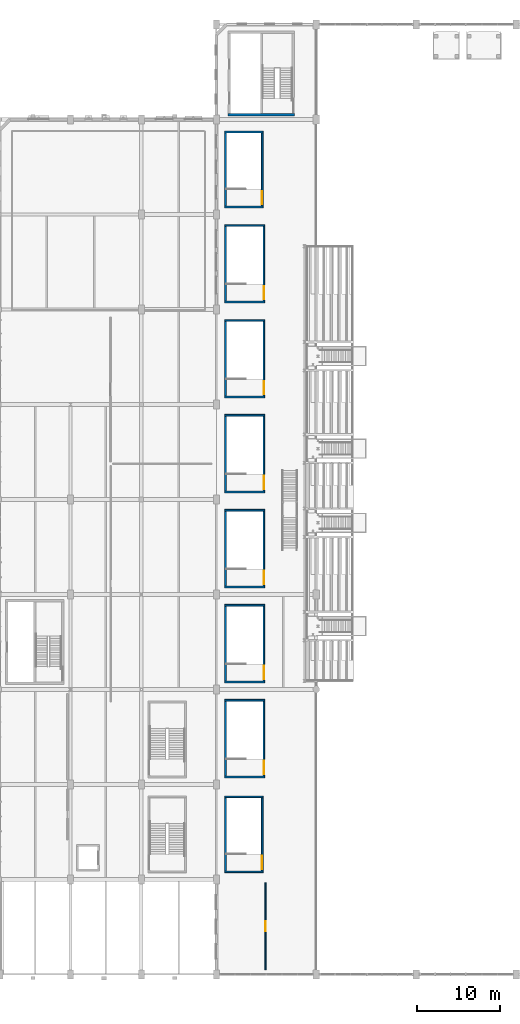
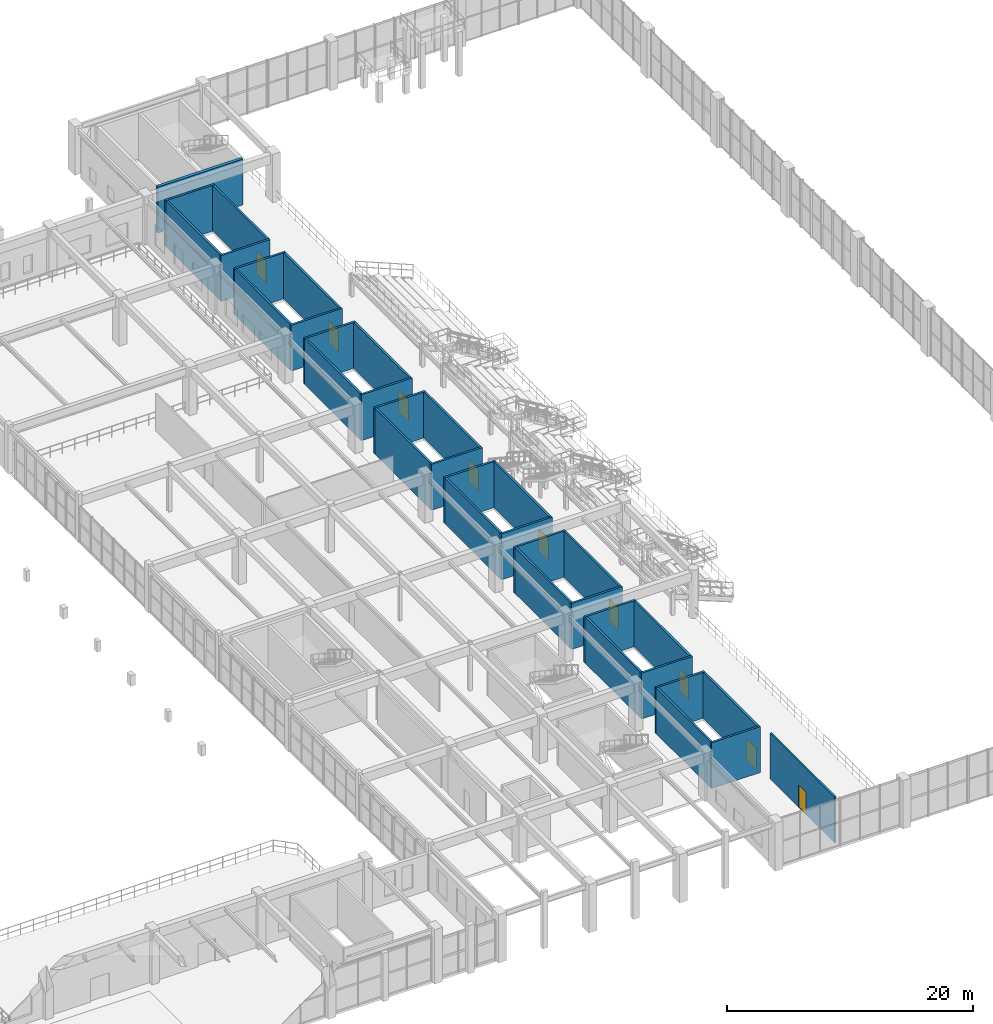
# One storey, part 87 of 106: 34 walls, 9 doors, 9 openings.
"""IFC4 building model written with IfcOpenShell, lengths in metres."""

from ifc_helpers import new_model, si_unit, direction, frame, frame_2d, origin, place, context, subcontext, project, spatial, rectangle, extrude, material, layer, layer_set, type_object, element, fill, save


model = new_model("IFC4")

# Units and contexts
model_context = context("Model", 3, precision=1e-05, world=origin(), true_north=direction((0.0, 1.0)))
body_context = subcontext(model_context, "Body", "Model", "MODEL_VIEW")
ifc_project = project(units=[si_unit("LENGTHUNIT", "METRE"), si_unit("AREAUNIT", "SQUARE_METRE"), si_unit("VOLUMEUNIT", "CUBIC_METRE"), si_unit("PLANEANGLEUNIT", "RADIAN"), si_unit("MASSUNIT", "GRAM", prefix="KILO"), si_unit("POWERUNIT", "WATT"), si_unit("THERMODYNAMICTEMPERATUREUNIT", "KELVIN")], contexts=[model_context])

# Site, building, storey
site_placement = place(None, origin())
site = spatial("IfcSite", under=ifc_project, at=site_placement, CompositionType="ELEMENT")
building_placement = place(site_placement, origin())
building = spatial("IfcBuilding", under=site, at=building_placement, Name="Kelmbourne Parkland Aquatics Centre", CompositionType="ELEMENT")
storey_placement = place(building_placement, frame((0.0, 0.0, 5.39990234375)))
storey = spatial("IfcBuildingStorey", under=building, at=storey_placement, Name="L01", CompositionType="ELEMENT", Elevation=5.39990234375)

# Walls
ifc_material_1 = material(Name="Concrete C40/50", Category="concrete")
ifc_layer_1 = layer(ifc_material_1, 0.300048828125)
ifc_layer_set_1 = layer_set([ifc_layer_1], Name="Concrete C40/50")
wall_type_1 = type_object("IfcWallType", Name="W-CORE-300", PredefinedType="SHEAR", material=ifc_layer_set_1)
wall_1_placement = place(storey_placement, frame((129.39990234375, 103.949951171875, 0.0), z_axis=(0.0, 0.0, 1.0), x_axis=(1.0, 0.0, 0.0)))
element("IfcWall", 1, at=wall_1_placement, inside=storey, type_object=wall_type_1, Name="North Diving Control Fire-Fighting Core south wall (L01)", PredefinedType="SHEAR", context=body_context, shape_type="SweptSolid", body=[
    extrude(rectangle(XDim=8.0, YDim=0.300048828125, at=frame_2d((4.0, 0.0))), origin(), (0.0, 0.0, 1.0), 4.56005859375),
])
ifc_material_2 = material(Name="Concrete blockwork C32/40", Category="masonry")
ifc_layer_2 = layer(ifc_material_2, 0.199951171875)
ifc_layer_set_2 = layer_set([ifc_layer_2], Name="Concrete blockwork C32/40")
wall_type_2 = type_object("IfcWallType", Name="W-FIRE-200", PredefinedType="SOLIDWALL", material=ifc_layer_set_2)
for number, where, z_axis, x_axis, name in (
    (2, (129.0, 13.10009765625, 0.0), (0.0, 0.0, 1.0), (1.0, 0.0, 0.0), "Main Bowl South Concourse Exit Stair south enclosure (L01)"),
    (3, (129.0, 22.10009765625, 0.0), (0.0, 0.0, 1.0), (1.0, 0.0, 0.0), "Main Bowl South Concourse Exit Stair north enclosure (L01)"),
):
    element("IfcWall", number, at=place(storey_placement, frame(where, z_axis=z_axis, x_axis=x_axis)), inside=storey, type_object=wall_type_2, Name=name, PredefinedType="SOLIDWALL", context=body_context, shape_type="SweptSolid", body=[
        extrude(rectangle(XDim=4.60009765625, YDim=0.199951171875, at=frame_2d((2.300048828125, 0.0))), origin(), (0.0, 0.0, 1.0), 4.56005859375),
    ])
wall_2_placement = place(storey_placement, frame((129.10009765625, 13.199951171875, 0.0), z_axis=(0.0, 0.0, 1.0), x_axis=(0.0, 1.0, 0.0)))
element("IfcWall", 4, at=wall_2_placement, inside=storey, type_object=wall_type_2, Name="Main Bowl South Concourse Exit Stair west enclosure (L01)", PredefinedType="SOLIDWALL", context=body_context, shape_type="SweptSolid", body=[
    extrude(rectangle(XDim=8.800048828125, YDim=0.199951171875, at=frame_2d((4.39990234375, 0.0))), origin(), (0.0, 0.0, 1.0), 4.56005859375),
])

# Wall, opening, door
wall_3_placement = place(storey_placement, frame((133.5, 13.199951171875, 0.0), z_axis=(0.0, 0.0, 1.0), x_axis=(0.0, 1.0, 0.0)))
wall_3 = element("IfcWall", 5, at=wall_3_placement, inside=storey, type_object=wall_type_2, Name="Main Bowl South Concourse Exit Stair east enclosure (L01)", PredefinedType="SOLIDWALL", context=body_context, shape_type="SweptSolid", body=[
    extrude(rectangle(XDim=8.800048828125, YDim=0.199951171875, at=frame_2d((4.39990234375, 0.0))), origin(), (0.0, 0.0, 1.0), 4.56005859375),
])
opening_1_placement = place(wall_3_placement, frame((0.219970703125, 0.0, 0.0)))
opening_1 = element("IfcOpeningElement", 6, at=opening_1_placement, cuts=wall_3, Name="Opening FD02", PredefinedType="OPENING", context=body_context, shape_type="SweptSolid", body=[
    extrude(rectangle(XDim=1.60009765625, YDim=2.199951171875, at=frame_2d((0.800048828125, 1.10009765625))), frame((0.0, 0.11181640625, 0.0), z_axis=(0.0, -1.0, 0.0), x_axis=(1.0, 0.0, 0.0)), (0.0, 0.0, 1.0), 0.223876953125),
])
ifc_material_3 = material(Name="Marine-grade stainless steel and fire-rated hardwood doorset", Category="steel")
ifc_layer_3 = layer(ifc_material_3, 0.050048828125)
ifc_layer_set_3 = layer_set([ifc_layer_3], Name="Marine-grade stainless steel and fire-rated hardwood doorset")
door_type_1 = type_object("IfcDoorType", Name="DR-FD-160", OperationType="NOTDEFINED", PredefinedType="DOOR", material=ifc_layer_set_3)
door_1_placement = place(opening_1_placement, frame((1.60009765625, 0.0, 0.0), z_axis=(0.0, 0.0, 1.0), x_axis=(-1.0, 0.0, 0.0)))
door_1 = element("IfcDoor", 7, at=door_1_placement, inside=storey, type_object=door_type_1, Name="Exit stair fire door ST10 (L01)", OperationType="DOUBLE_DOOR_SINGLE_SWING", OverallHeight=2.199951171875, OverallWidth=1.60009765625, PredefinedType="DOOR", context=body_context, shape_type="SweptSolid", body=[
    extrude(rectangle(XDim=1.60009765625, YDim=2.199951171875, at=frame_2d((0.800048828125, 1.10009765625))), frame((0.0, 0.02490234375, 0.0), z_axis=(0.0, -1.0, 0.0), x_axis=(1.0, 0.0, 0.0)), (0.0, 0.0, 1.0), 0.050048828125),
])
fill(opening_1, door_1)

# Walls
for number, where, z_axis, x_axis, name in (
    (8, (129.0, 92.89990234375, 0.0), (0.0, 0.0, 1.0), (1.0, 0.0, 0.0), "Main Bowl North Concourse Exit Stair south enclosure (L01)"),
    (9, (129.0, 101.89990234375, 0.0), (0.0, 0.0, 1.0), (1.0, 0.0, 0.0), "Main Bowl North Concourse Exit Stair north enclosure (L01)"),
):
    element("IfcWall", number, at=place(storey_placement, frame(where, z_axis=z_axis, x_axis=x_axis)), inside=storey, type_object=wall_type_2, Name=name, PredefinedType="SOLIDWALL", context=body_context, shape_type="SweptSolid", body=[
        extrude(rectangle(XDim=4.60009765625, YDim=0.199951171875, at=frame_2d((2.300048828125, 0.0))), origin(), (0.0, 0.0, 1.0), 4.56005859375),
    ])
wall_4_placement = place(storey_placement, frame((129.10009765625, 93.0, 0.0), z_axis=(0.0, 0.0, 1.0), x_axis=(0.0, 1.0, 0.0)))
element("IfcWall", 10, at=wall_4_placement, inside=storey, type_object=wall_type_2, Name="Main Bowl North Concourse Exit Stair west enclosure (L01)", PredefinedType="SOLIDWALL", context=body_context, shape_type="SweptSolid", body=[
    extrude(rectangle(XDim=8.800048828125, YDim=0.199951171875, at=frame_2d((4.39990234375, 0.0))), origin(), (0.0, 0.0, 1.0), 4.56005859375),
])

# Wall, opening, door
wall_5_placement = place(storey_placement, frame((133.5, 93.0, 0.0), z_axis=(0.0, 0.0, 1.0), x_axis=(0.0, 1.0, 0.0)))
wall_5 = element("IfcWall", 11, at=wall_5_placement, inside=storey, type_object=wall_type_2, Name="Main Bowl North Concourse Exit Stair east enclosure (L01)", PredefinedType="SOLIDWALL", context=body_context, shape_type="SweptSolid", body=[
    extrude(rectangle(XDim=8.800048828125, YDim=0.199951171875, at=frame_2d((4.39990234375, 0.0))), origin(), (0.0, 0.0, 1.0), 4.56005859375),
])
opening_2_placement = place(wall_5_placement, frame((0.219970703125, 0.0, 0.0)))
opening_2 = element("IfcOpeningElement", 12, at=opening_2_placement, cuts=wall_5, Name="Opening FD02", PredefinedType="OPENING", context=body_context, shape_type="SweptSolid", body=[
    extrude(rectangle(XDim=1.60009765625, YDim=2.199951171875, at=frame_2d((0.800048828125, 1.10009765625))), frame((0.0, 0.11181640625, 0.0), z_axis=(0.0, -1.0, 0.0), x_axis=(1.0, 0.0, 0.0)), (0.0, 0.0, 1.0), 0.223876953125),
])
door_2_placement = place(opening_2_placement, frame((1.60009765625, 0.0, 0.0), z_axis=(0.0, 0.0, 1.0), x_axis=(-1.0, 0.0, 0.0)))
door_2 = element("IfcDoor", 13, at=door_2_placement, inside=storey, type_object=door_type_1, Name="Exit stair fire door ST11 (L01)", OperationType="DOUBLE_DOOR_SINGLE_SWING", OverallHeight=2.199951171875, OverallWidth=1.60009765625, PredefinedType="DOOR", context=body_context, shape_type="SweptSolid", body=[
    extrude(rectangle(XDim=1.60009765625, YDim=2.199951171875, at=frame_2d((0.800048828125, 1.10009765625))), frame((0.0, 0.02490234375, 0.0), z_axis=(0.0, -1.0, 0.0), x_axis=(1.0, 0.0, 0.0)), (0.0, 0.0, 1.0), 0.050048828125),
])
fill(opening_2, door_2)

# Walls
for number, where, z_axis, x_axis, name in (
    (14, (129.0, 24.5, 0.0), (0.0, 0.0, 1.0), (1.0, 0.0, 0.0), "Spectator Bowl Exit Stair Bay 3 south enclosure (L01)"),
    (15, (129.0, 33.699951171875, 0.0), (0.0, 0.0, 1.0), (1.0, 0.0, 0.0), "Spectator Bowl Exit Stair Bay 3 north enclosure (L01)"),
):
    element("IfcWall", number, at=place(storey_placement, frame(where, z_axis=z_axis, x_axis=x_axis)), inside=storey, type_object=wall_type_2, Name=name, PredefinedType="SOLIDWALL", context=body_context, shape_type="SweptSolid", body=[
        extrude(rectangle(XDim=4.800048828125, YDim=0.199951171875, at=frame_2d((2.39990234375, 0.0))), origin(), (0.0, 0.0, 1.0), 4.56005859375),
    ])
wall_6_placement = place(storey_placement, frame((129.10009765625, 24.60009765625, 0.0), z_axis=(0.0, 0.0, 1.0), x_axis=(0.0, 1.0, 0.0)))
element("IfcWall", 16, at=wall_6_placement, inside=storey, type_object=wall_type_2, Name="Spectator Bowl Exit Stair Bay 3 west enclosure (L01)", PredefinedType="SOLIDWALL", context=body_context, shape_type="SweptSolid", body=[
    extrude(rectangle(XDim=9.0, YDim=0.199951171875, at=frame_2d((4.5, 0.0))), origin(), (0.0, 0.0, 1.0), 4.56005859375),
])

# Wall, opening, door
wall_7_placement = place(storey_placement, frame((133.699951171875, 24.60009765625, 0.0), z_axis=(0.0, 0.0, 1.0), x_axis=(0.0, 1.0, 0.0)))
wall_7 = element("IfcWall", 17, at=wall_7_placement, inside=storey, type_object=wall_type_2, Name="Spectator Bowl Exit Stair Bay 3 east enclosure (L01)", PredefinedType="SOLIDWALL", context=body_context, shape_type="SweptSolid", body=[
    extrude(rectangle(XDim=9.0, YDim=0.199951171875, at=frame_2d((4.5, 0.0))), origin(), (0.0, 0.0, 1.0), 4.56005859375),
])
opening_3_placement = place(wall_7_placement, frame((0.219970703125, 0.0, 0.0)))
opening_3 = element("IfcOpeningElement", 18, at=opening_3_placement, cuts=wall_7, Name="Opening FD02", PredefinedType="OPENING", context=body_context, shape_type="SweptSolid", body=[
    extrude(rectangle(XDim=1.60009765625, YDim=2.199951171875, at=frame_2d((0.800048828125, 1.10009765625))), frame((0.0, 0.11181640625, 0.0), z_axis=(0.0, -1.0, 0.0), x_axis=(1.0, 0.0, 0.0)), (0.0, 0.0, 1.0), 0.223876953125),
])
door_3_placement = place(opening_3_placement, frame((1.60009765625, 0.0, 0.0), z_axis=(0.0, 0.0, 1.0), x_axis=(-1.0, 0.0, 0.0)))
door_3 = element("IfcDoor", 19, at=door_3_placement, inside=storey, type_object=door_type_1, Name="Exit stair fire door ST16 (L01)", OperationType="DOUBLE_DOOR_SINGLE_SWING", OverallHeight=2.199951171875, OverallWidth=1.60009765625, PredefinedType="DOOR", context=body_context, shape_type="SweptSolid", body=[
    extrude(rectangle(XDim=1.60009765625, YDim=2.199951171875, at=frame_2d((0.800048828125, 1.10009765625))), frame((0.0, 0.02490234375, 0.0), z_axis=(0.0, -1.0, 0.0), x_axis=(1.0, 0.0, 0.0)), (0.0, 0.0, 1.0), 0.050048828125),
])
fill(opening_3, door_3)

# Walls
for number, where, z_axis, x_axis, name in (
    (20, (129.0, 35.89990234375, 0.0), (0.0, 0.0, 1.0), (1.0, 0.0, 0.0), "Spectator Bowl Exit Stair Bay 4 south enclosure (L01)"),
    (21, (129.0, 45.10009765625, 0.0), (0.0, 0.0, 1.0), (1.0, 0.0, 0.0), "Spectator Bowl Exit Stair Bay 4 north enclosure (L01)"),
):
    element("IfcWall", number, at=place(storey_placement, frame(where, z_axis=z_axis, x_axis=x_axis)), inside=storey, type_object=wall_type_2, Name=name, PredefinedType="SOLIDWALL", context=body_context, shape_type="SweptSolid", body=[
        extrude(rectangle(XDim=4.800048828125, YDim=0.199951171875, at=frame_2d((2.39990234375, 0.0))), origin(), (0.0, 0.0, 1.0), 4.56005859375),
    ])
wall_8_placement = place(storey_placement, frame((129.10009765625, 36.0, 0.0), z_axis=(0.0, 0.0, 1.0), x_axis=(0.0, 1.0, 0.0)))
element("IfcWall", 22, at=wall_8_placement, inside=storey, type_object=wall_type_2, Name="Spectator Bowl Exit Stair Bay 4 west enclosure (L01)", PredefinedType="SOLIDWALL", context=body_context, shape_type="SweptSolid", body=[
    extrude(rectangle(XDim=9.0, YDim=0.199951171875, at=frame_2d((4.5, 0.0))), origin(), (0.0, 0.0, 1.0), 4.56005859375),
])

# Wall, opening, door
wall_9_placement = place(storey_placement, frame((133.699951171875, 36.0, 0.0), z_axis=(0.0, 0.0, 1.0), x_axis=(0.0, 1.0, 0.0)))
wall_9 = element("IfcWall", 23, at=wall_9_placement, inside=storey, type_object=wall_type_2, Name="Spectator Bowl Exit Stair Bay 4 east enclosure (L01)", PredefinedType="SOLIDWALL", context=body_context, shape_type="SweptSolid", body=[
    extrude(rectangle(XDim=9.0, YDim=0.199951171875, at=frame_2d((4.5, 0.0))), origin(), (0.0, 0.0, 1.0), 4.56005859375),
])
opening_4_placement = place(wall_9_placement, frame((0.219970703125, 0.0, 0.0)))
opening_4 = element("IfcOpeningElement", 24, at=opening_4_placement, cuts=wall_9, Name="Opening FD02", PredefinedType="OPENING", context=body_context, shape_type="SweptSolid", body=[
    extrude(rectangle(XDim=1.60009765625, YDim=2.199951171875, at=frame_2d((0.800048828125, 1.10009765625))), frame((0.0, 0.11181640625, 0.0), z_axis=(0.0, -1.0, 0.0), x_axis=(1.0, 0.0, 0.0)), (0.0, 0.0, 1.0), 0.223876953125),
])
door_4_placement = place(opening_4_placement, frame((1.60009765625, 0.0, 0.0), z_axis=(0.0, 0.0, 1.0), x_axis=(-1.0, 0.0, 0.0)))
door_4 = element("IfcDoor", 25, at=door_4_placement, inside=storey, type_object=door_type_1, Name="Exit stair fire door ST17 (L01)", OperationType="DOUBLE_DOOR_SINGLE_SWING", OverallHeight=2.199951171875, OverallWidth=1.60009765625, PredefinedType="DOOR", context=body_context, shape_type="SweptSolid", body=[
    extrude(rectangle(XDim=1.60009765625, YDim=2.199951171875, at=frame_2d((0.800048828125, 1.10009765625))), frame((0.0, 0.02490234375, 0.0), z_axis=(0.0, -1.0, 0.0), x_axis=(1.0, 0.0, 0.0)), (0.0, 0.0, 1.0), 0.050048828125),
])
fill(opening_4, door_4)

# Walls
for number, where, z_axis, x_axis, name in (
    (26, (129.0, 47.300048828125, 0.0), (0.0, 0.0, 1.0), (1.0, 0.0, 0.0), "Spectator Bowl Exit Stair Bay 5 south enclosure (L01)"),
    (27, (129.0, 56.5, 0.0), (0.0, 0.0, 1.0), (1.0, 0.0, 0.0), "Spectator Bowl Exit Stair Bay 5 north enclosure (L01)"),
):
    element("IfcWall", number, at=place(storey_placement, frame(where, z_axis=z_axis, x_axis=x_axis)), inside=storey, type_object=wall_type_2, Name=name, PredefinedType="SOLIDWALL", context=body_context, shape_type="SweptSolid", body=[
        extrude(rectangle(XDim=4.800048828125, YDim=0.199951171875, at=frame_2d((2.39990234375, 0.0))), origin(), (0.0, 0.0, 1.0), 4.56005859375),
    ])
wall_10_placement = place(storey_placement, frame((129.10009765625, 47.39990234375, 0.0), z_axis=(0.0, 0.0, 1.0), x_axis=(0.0, 1.0, 0.0)))
element("IfcWall", 28, at=wall_10_placement, inside=storey, type_object=wall_type_2, Name="Spectator Bowl Exit Stair Bay 5 west enclosure (L01)", PredefinedType="SOLIDWALL", context=body_context, shape_type="SweptSolid", body=[
    extrude(rectangle(XDim=9.0, YDim=0.199951171875, at=frame_2d((4.5, 0.0))), origin(), (0.0, 0.0, 1.0), 4.56005859375),
])

# Wall, opening, door
wall_11_placement = place(storey_placement, frame((133.699951171875, 47.39990234375, 0.0), z_axis=(0.0, 0.0, 1.0), x_axis=(0.0, 1.0, 0.0)))
wall_11 = element("IfcWall", 29, at=wall_11_placement, inside=storey, type_object=wall_type_2, Name="Spectator Bowl Exit Stair Bay 5 east enclosure (L01)", PredefinedType="SOLIDWALL", context=body_context, shape_type="SweptSolid", body=[
    extrude(rectangle(XDim=9.0, YDim=0.199951171875, at=frame_2d((4.5, 0.0))), origin(), (0.0, 0.0, 1.0), 4.56005859375),
])
opening_5_placement = place(wall_11_placement, frame((0.219970703125, 0.0, 0.0)))
opening_5 = element("IfcOpeningElement", 30, at=opening_5_placement, cuts=wall_11, Name="Opening FD02", PredefinedType="OPENING", context=body_context, shape_type="SweptSolid", body=[
    extrude(rectangle(XDim=1.60009765625, YDim=2.199951171875, at=frame_2d((0.800048828125, 1.10009765625))), frame((0.0, 0.11181640625, 0.0), z_axis=(0.0, -1.0, 0.0), x_axis=(1.0, 0.0, 0.0)), (0.0, 0.0, 1.0), 0.223876953125),
])
door_5_placement = place(opening_5_placement, frame((1.60009765625, 0.0, 0.0), z_axis=(0.0, 0.0, 1.0), x_axis=(-1.0, 0.0, 0.0)))
door_5 = element("IfcDoor", 31, at=door_5_placement, inside=storey, type_object=door_type_1, Name="Exit stair fire door ST18 (L01)", OperationType="DOUBLE_DOOR_SINGLE_SWING", OverallHeight=2.199951171875, OverallWidth=1.60009765625, PredefinedType="DOOR", context=body_context, shape_type="SweptSolid", body=[
    extrude(rectangle(XDim=1.60009765625, YDim=2.199951171875, at=frame_2d((0.800048828125, 1.10009765625))), frame((0.0, 0.02490234375, 0.0), z_axis=(0.0, -1.0, 0.0), x_axis=(1.0, 0.0, 0.0)), (0.0, 0.0, 1.0), 0.050048828125),
])
fill(opening_5, door_5)

# Walls
for number, where, z_axis, x_axis, name in (
    (32, (129.0, 58.699951171875, 0.0), (0.0, 0.0, 1.0), (1.0, 0.0, 0.0), "Spectator Bowl Exit Stair Bay 6 south enclosure (L01)"),
    (33, (129.0, 67.89990234375, 0.0), (0.0, 0.0, 1.0), (1.0, 0.0, 0.0), "Spectator Bowl Exit Stair Bay 6 north enclosure (L01)"),
):
    element("IfcWall", number, at=place(storey_placement, frame(where, z_axis=z_axis, x_axis=x_axis)), inside=storey, type_object=wall_type_2, Name=name, PredefinedType="SOLIDWALL", context=body_context, shape_type="SweptSolid", body=[
        extrude(rectangle(XDim=4.800048828125, YDim=0.199951171875, at=frame_2d((2.39990234375, 0.0))), origin(), (0.0, 0.0, 1.0), 4.56005859375),
    ])
wall_12_placement = place(storey_placement, frame((129.10009765625, 58.800048828125, 0.0), z_axis=(0.0, 0.0, 1.0), x_axis=(0.0, 1.0, 0.0)))
element("IfcWall", 34, at=wall_12_placement, inside=storey, type_object=wall_type_2, Name="Spectator Bowl Exit Stair Bay 6 west enclosure (L01)", PredefinedType="SOLIDWALL", context=body_context, shape_type="SweptSolid", body=[
    extrude(rectangle(XDim=9.0, YDim=0.199951171875, at=frame_2d((4.5, 0.0))), origin(), (0.0, 0.0, 1.0), 4.56005859375),
])

# Wall, opening, door
wall_13_placement = place(storey_placement, frame((133.699951171875, 58.800048828125, 0.0), z_axis=(0.0, 0.0, 1.0), x_axis=(0.0, 1.0, 0.0)))
wall_13 = element("IfcWall", 35, at=wall_13_placement, inside=storey, type_object=wall_type_2, Name="Spectator Bowl Exit Stair Bay 6 east enclosure (L01)", PredefinedType="SOLIDWALL", context=body_context, shape_type="SweptSolid", body=[
    extrude(rectangle(XDim=9.0, YDim=0.199951171875, at=frame_2d((4.5, 0.0))), origin(), (0.0, 0.0, 1.0), 4.56005859375),
])
opening_6_placement = place(wall_13_placement, frame((0.219970703125, 0.0, 0.0)))
opening_6 = element("IfcOpeningElement", 36, at=opening_6_placement, cuts=wall_13, Name="Opening FD02", PredefinedType="OPENING", context=body_context, shape_type="SweptSolid", body=[
    extrude(rectangle(XDim=1.60009765625, YDim=2.199951171875, at=frame_2d((0.800048828125, 1.10009765625))), frame((0.0, 0.11181640625, 0.0), z_axis=(0.0, -1.0, 0.0), x_axis=(1.0, 0.0, 0.0)), (0.0, 0.0, 1.0), 0.223876953125),
])
door_6_placement = place(opening_6_placement, frame((1.60009765625, 0.0, 0.0), z_axis=(0.0, 0.0, 1.0), x_axis=(-1.0, 0.0, 0.0)))
door_6 = element("IfcDoor", 37, at=door_6_placement, inside=storey, type_object=door_type_1, Name="Exit stair fire door ST19 (L01)", OperationType="DOUBLE_DOOR_SINGLE_SWING", OverallHeight=2.199951171875, OverallWidth=1.60009765625, PredefinedType="DOOR", context=body_context, shape_type="SweptSolid", body=[
    extrude(rectangle(XDim=1.60009765625, YDim=2.199951171875, at=frame_2d((0.800048828125, 1.10009765625))), frame((0.0, 0.02490234375, 0.0), z_axis=(0.0, -1.0, 0.0), x_axis=(1.0, 0.0, 0.0)), (0.0, 0.0, 1.0), 0.050048828125),
])
fill(opening_6, door_6)

# Walls
for number, where, z_axis, x_axis, name in (
    (38, (129.0, 70.10009765625, 0.0), (0.0, 0.0, 1.0), (1.0, 0.0, 0.0), "Spectator Bowl Exit Stair Bay 7 south enclosure (L01)"),
    (39, (129.0, 79.300048828125, 0.0), (0.0, 0.0, 1.0), (1.0, 0.0, 0.0), "Spectator Bowl Exit Stair Bay 7 north enclosure (L01)"),
):
    element("IfcWall", number, at=place(storey_placement, frame(where, z_axis=z_axis, x_axis=x_axis)), inside=storey, type_object=wall_type_2, Name=name, PredefinedType="SOLIDWALL", context=body_context, shape_type="SweptSolid", body=[
        extrude(rectangle(XDim=4.800048828125, YDim=0.199951171875, at=frame_2d((2.39990234375, 0.0))), origin(), (0.0, 0.0, 1.0), 4.56005859375),
    ])
wall_14_placement = place(storey_placement, frame((129.10009765625, 70.199951171875, 0.0), z_axis=(0.0, 0.0, 1.0), x_axis=(0.0, 1.0, 0.0)))
element("IfcWall", 40, at=wall_14_placement, inside=storey, type_object=wall_type_2, Name="Spectator Bowl Exit Stair Bay 7 west enclosure (L01)", PredefinedType="SOLIDWALL", context=body_context, shape_type="SweptSolid", body=[
    extrude(rectangle(XDim=9.0, YDim=0.199951171875, at=frame_2d((4.5, 0.0))), origin(), (0.0, 0.0, 1.0), 4.56005859375),
])

# Wall, opening, door
wall_15_placement = place(storey_placement, frame((133.699951171875, 70.199951171875, 0.0), z_axis=(0.0, 0.0, 1.0), x_axis=(0.0, 1.0, 0.0)))
wall_15 = element("IfcWall", 41, at=wall_15_placement, inside=storey, type_object=wall_type_2, Name="Spectator Bowl Exit Stair Bay 7 east enclosure (L01)", PredefinedType="SOLIDWALL", context=body_context, shape_type="SweptSolid", body=[
    extrude(rectangle(XDim=9.0, YDim=0.199951171875, at=frame_2d((4.5, 0.0))), origin(), (0.0, 0.0, 1.0), 4.56005859375),
])
opening_7_placement = place(wall_15_placement, frame((0.219970703125, 0.0, 0.0)))
opening_7 = element("IfcOpeningElement", 42, at=opening_7_placement, cuts=wall_15, Name="Opening FD02", PredefinedType="OPENING", context=body_context, shape_type="SweptSolid", body=[
    extrude(rectangle(XDim=1.60009765625, YDim=2.199951171875, at=frame_2d((0.800048828125, 1.10009765625))), frame((0.0, 0.11181640625, 0.0), z_axis=(0.0, -1.0, 0.0), x_axis=(1.0, 0.0, 0.0)), (0.0, 0.0, 1.0), 0.223876953125),
])
door_7_placement = place(opening_7_placement, frame((1.60009765625, 0.0, 0.0), z_axis=(0.0, 0.0, 1.0), x_axis=(-1.0, 0.0, 0.0)))
door_7 = element("IfcDoor", 43, at=door_7_placement, inside=storey, type_object=door_type_1, Name="Exit stair fire door ST20 (L01)", OperationType="DOUBLE_DOOR_SINGLE_SWING", OverallHeight=2.199951171875, OverallWidth=1.60009765625, PredefinedType="DOOR", context=body_context, shape_type="SweptSolid", body=[
    extrude(rectangle(XDim=1.60009765625, YDim=2.199951171875, at=frame_2d((0.800048828125, 1.10009765625))), frame((0.0, 0.02490234375, 0.0), z_axis=(0.0, -1.0, 0.0), x_axis=(1.0, 0.0, 0.0)), (0.0, 0.0, 1.0), 0.050048828125),
])
fill(opening_7, door_7)

# Walls
for number, where, z_axis, x_axis, name in (
    (44, (129.0, 81.5, 0.0), (0.0, 0.0, 1.0), (1.0, 0.0, 0.0), "Spectator Bowl Exit Stair Bay 8 south enclosure (L01)"),
    (45, (129.0, 90.699951171875, 0.0), (0.0, 0.0, 1.0), (1.0, 0.0, 0.0), "Spectator Bowl Exit Stair Bay 8 north enclosure (L01)"),
):
    element("IfcWall", number, at=place(storey_placement, frame(where, z_axis=z_axis, x_axis=x_axis)), inside=storey, type_object=wall_type_2, Name=name, PredefinedType="SOLIDWALL", context=body_context, shape_type="SweptSolid", body=[
        extrude(rectangle(XDim=4.800048828125, YDim=0.199951171875, at=frame_2d((2.39990234375, 0.0))), origin(), (0.0, 0.0, 1.0), 4.56005859375),
    ])
wall_16_placement = place(storey_placement, frame((129.10009765625, 81.60009765625, 0.0), z_axis=(0.0, 0.0, 1.0), x_axis=(0.0, 1.0, 0.0)))
element("IfcWall", 46, at=wall_16_placement, inside=storey, type_object=wall_type_2, Name="Spectator Bowl Exit Stair Bay 8 west enclosure (L01)", PredefinedType="SOLIDWALL", context=body_context, shape_type="SweptSolid", body=[
    extrude(rectangle(XDim=9.0, YDim=0.199951171875, at=frame_2d((4.5, 0.0))), origin(), (0.0, 0.0, 1.0), 4.56005859375),
])

# Wall, opening, door
wall_17_placement = place(storey_placement, frame((133.699951171875, 81.60009765625, 0.0), z_axis=(0.0, 0.0, 1.0), x_axis=(0.0, 1.0, 0.0)))
wall_17 = element("IfcWall", 47, at=wall_17_placement, inside=storey, type_object=wall_type_2, Name="Spectator Bowl Exit Stair Bay 8 east enclosure (L01)", PredefinedType="SOLIDWALL", context=body_context, shape_type="SweptSolid", body=[
    extrude(rectangle(XDim=9.0, YDim=0.199951171875, at=frame_2d((4.5, 0.0))), origin(), (0.0, 0.0, 1.0), 4.56005859375),
])
opening_8_placement = place(wall_17_placement, frame((0.219970703125, 0.0, 0.0)))
opening_8 = element("IfcOpeningElement", 48, at=opening_8_placement, cuts=wall_17, Name="Opening FD02", PredefinedType="OPENING", context=body_context, shape_type="SweptSolid", body=[
    extrude(rectangle(XDim=1.60009765625, YDim=2.199951171875, at=frame_2d((0.800048828125, 1.10009765625))), frame((0.0, 0.11181640625, 0.0), z_axis=(0.0, -1.0, 0.0), x_axis=(1.0, 0.0, 0.0)), (0.0, 0.0, 1.0), 0.223876953125),
])
door_8_placement = place(opening_8_placement, frame((1.60009765625, 0.0, 0.0), z_axis=(0.0, 0.0, 1.0), x_axis=(-1.0, 0.0, 0.0)))
door_8 = element("IfcDoor", 49, at=door_8_placement, inside=storey, type_object=door_type_1, Name="Exit stair fire door ST21 (L01)", OperationType="DOUBLE_DOOR_SINGLE_SWING", OverallHeight=2.199951171875, OverallWidth=1.60009765625, PredefinedType="DOOR", context=body_context, shape_type="SweptSolid", body=[
    extrude(rectangle(XDim=1.60009765625, YDim=2.199951171875, at=frame_2d((0.800048828125, 1.10009765625))), frame((0.0, 0.02490234375, 0.0), z_axis=(0.0, -1.0, 0.0), x_axis=(1.0, 0.0, 0.0)), (0.0, 0.0, 1.0), 0.050048828125),
])
fill(opening_8, door_8)

ifc_material_4 = material(Name="Moisture-resistant acoustic stud partition", Category="gypsum")
ifc_layer_4 = layer(ifc_material_4, 0.14990234375)
ifc_layer_set_4 = layer_set([ifc_layer_4], Name="Moisture-resistant acoustic stud partition")
wall_type_3 = type_object("IfcWallType", Name="W-PART-150", PredefinedType="PARTITIONING", material=ifc_layer_set_4)
wall_18_placement = place(storey_placement, frame((133.89990234375, 1.35009765625, 0.0), z_axis=(0.0, 0.0, 1.0), x_axis=(0.0, 1.0, 0.0)))
wall_18 = element("IfcWall", 50, at=wall_18_placement, inside=storey, type_object=wall_type_3, Name="Interior partition PT-L01-078", PredefinedType="PARTITIONING", context=body_context, shape_type="SweptSolid", body=[
    extrude(rectangle(XDim=10.469970703125, YDim=0.14990234375, at=frame_2d((5.23486328125, 0.0))), origin(), (0.0, 0.0, 1.0), 4.56005859375),
])
opening_9_placement = place(wall_18_placement, frame((4.635009765625, 0.0, 0.0)))
opening_9 = element("IfcOpeningElement", 51, at=opening_9_placement, cuts=wall_18, Name="Opening FD05", PredefinedType="OPENING", context=body_context, shape_type="SweptSolid", body=[
    extrude(rectangle(XDim=1.199951171875, YDim=2.199951171875, at=frame_2d((0.60009765625, 1.10009765625))), frame((0.0, 0.0869140625, 0.0), z_axis=(0.0, -1.0, 0.0), x_axis=(1.0, 0.0, 0.0)), (0.0, 0.0, 1.0), 0.173828125),
])
ifc_layer_5 = layer(ifc_material_3, 0.050048828125)
ifc_layer_set_5 = layer_set([ifc_layer_5], Name="Marine-grade stainless steel and fire-rated hardwood doorset")
door_type_2 = type_object("IfcDoorType", Name="DR-FD-120", OperationType="NOTDEFINED", PredefinedType="DOOR", material=ifc_layer_set_5)
door_9_placement = place(opening_9_placement, origin())
door_9 = element("IfcDoor", 52, at=door_9_placement, inside=storey, type_object=door_type_2, Name="Interior door FD05 (L01-044)", OperationType="SINGLE_SWING_RIGHT", OverallHeight=2.199951171875, OverallWidth=1.199951171875, PredefinedType="DOOR", context=body_context, shape_type="SweptSolid", body=[
    extrude(rectangle(XDim=1.199951171875, YDim=2.199951171875, at=frame_2d((0.60009765625, 1.10009765625))), frame((0.0, 0.02490234375, 0.0), z_axis=(0.0, -1.0, 0.0), x_axis=(1.0, 0.0, 0.0)), (0.0, 0.0, 1.0), 0.050048828125),
])
fill(opening_9, door_9)

save(model, "model.ifc")
